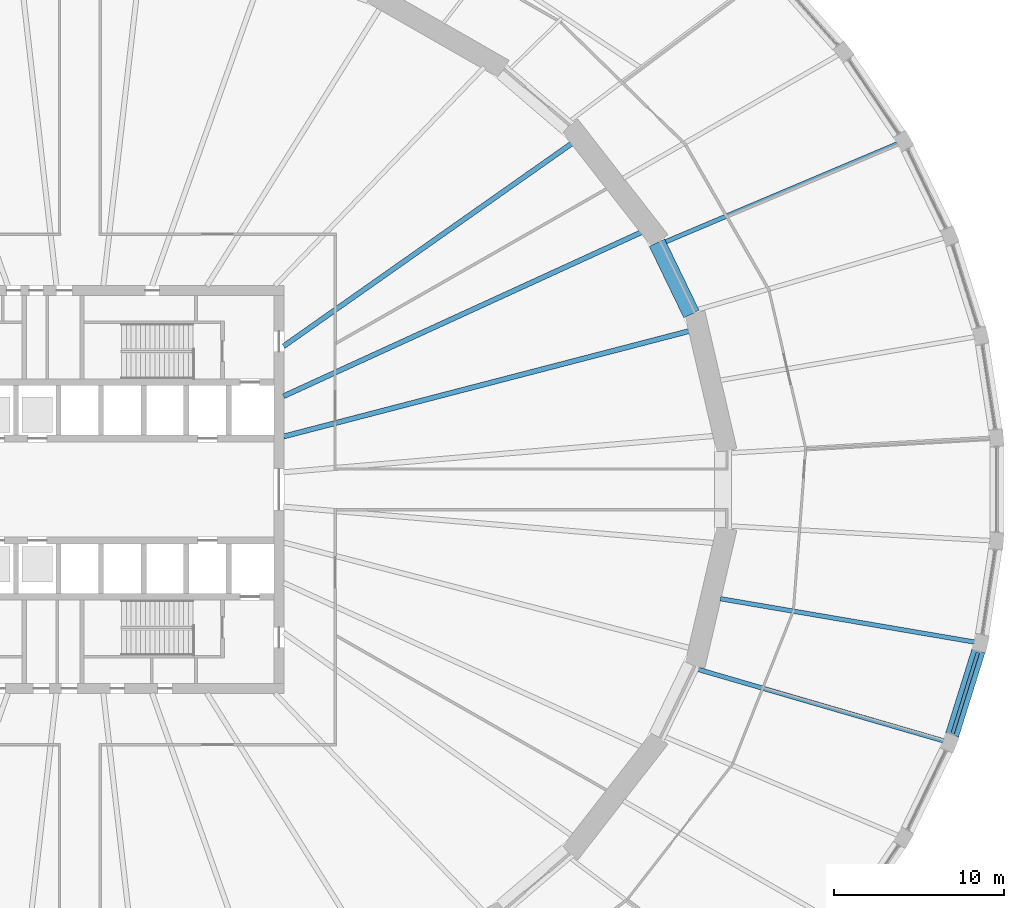
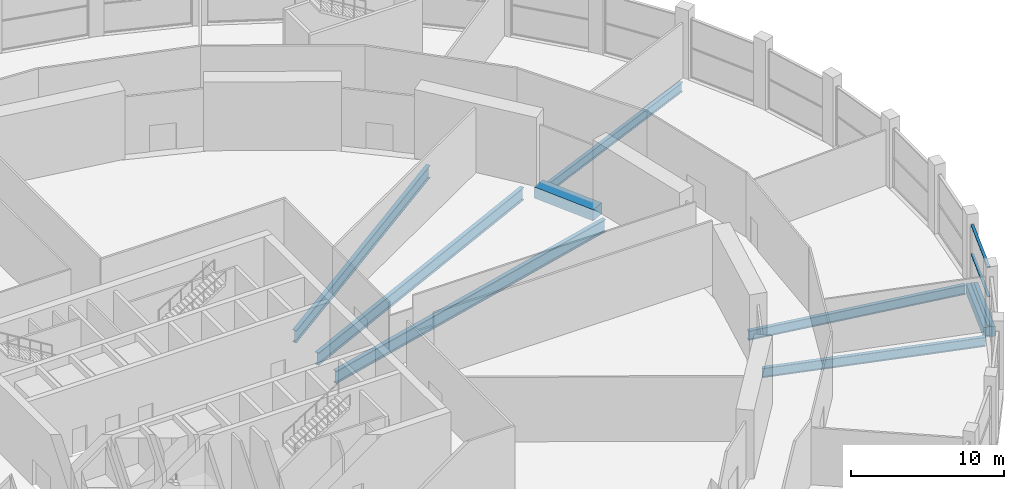
# One storey, part 10 of 29: 8 beams, 3 members, 1 element without a shape of its own.
"""IFC4 building model written with IfcOpenShell, lengths in metres."""

from ifc_helpers import new_model, si_unit, direction, frame, origin, origin_2d, place, context, subcontext, project, spatial, rectangle, i_section, extrude, material, material_profile, profile_set, type_object, element, aggregate, save


model = new_model("IFC4")

# Units and contexts
model_context = context("Model", 3, precision=1e-05, world=origin(), true_north=direction((0.0, 1.0)))
body_context = subcontext(model_context, "Body", "Model", "MODEL_VIEW")
ifc_project = project(units=[si_unit("LENGTHUNIT", "METRE"), si_unit("AREAUNIT", "SQUARE_METRE"), si_unit("VOLUMEUNIT", "CUBIC_METRE"), si_unit("PLANEANGLEUNIT", "RADIAN"), si_unit("MASSUNIT", "GRAM", prefix="KILO")], contexts=[model_context])

# Site, building, storey
site_placement = place(None, origin())
site = spatial("IfcSite", under=ifc_project, at=site_placement, CompositionType="ELEMENT")
building_placement = place(site_placement, origin())
building = spatial("IfcBuilding", under=site, at=building_placement, Name="Halqa Exchange Tower", CompositionType="ELEMENT")
storey_placement = place(building_placement, frame((0.0, 0.0, 12.5)))
storey = spatial("IfcBuildingStorey", under=building, at=storey_placement, Name="L02", CompositionType="ELEMENT", Elevation=12.5)

# Curtain wall, members
ifc_material_1 = material(Name="Anodised aluminium and clear glass", Category="aluminium")
curtain_wall_type = type_object("IfcCurtainWallType", Name="Exchange hall glazing", PredefinedType="NOTDEFINED", material=ifc_material_1)
curtain_wall_placement = place(storey_placement, origin())
curtain_wall = element("IfcCurtainWall", 1, at=curtain_wall_placement, inside=storey, type_object=curtain_wall_type, Name="Exchange hall glazing run P46", PredefinedType="NOTDEFINED")
ifc_material_2 = material(Name="Anodised aluminium", Category="aluminium")
ifc_material_profile_1 = material_profile(ifc_material_2, rectangle(XDim=0.199951171875, YDim=0.070068359375, at=origin_2d()), Name="AL 70x200")
ifc_profile_set_1 = profile_set([ifc_material_profile_1], Name="Anodised aluminium")
member_type = type_object("IfcMemberType", Name="Exchange hall glazing transom 70 x 200", PredefinedType="USERDEFINED", material=ifc_profile_set_1)
member_1_placement = place(storey_placement, frame((51.30419921875, -14.338623046875, 0.034912109375), z_axis=(0.298305642444, 0.954470399586, 0.0), x_axis=(-0.954470399586, 0.298305642444, 0.0)))
member_1 = element("IfcMember", 2, at=member_1_placement, type_object=member_type, Name="P46 transom 1.1", ObjectType="TRANSOM", PredefinedType="USERDEFINED", context=body_context, shape_type="SweptSolid", body=[
    extrude(rectangle(XDim=0.199951171875, YDim=0.070068359375, at=origin_2d()), origin(), (0.0, 0.0, 1.0), 4.989013671875),
])
member_2_placement = place(storey_placement, frame((51.30419921875, -14.338623046875, 2.35009765625), z_axis=(0.298305642444, 0.954470399586, 0.0), x_axis=(-0.954470399586, 0.298305642444, 0.0)))
member_2 = element("IfcMember", 3, at=member_2_placement, type_object=member_type, Name="P46 transom 1.2", ObjectType="TRANSOM", PredefinedType="USERDEFINED", context=body_context, shape_type="SweptSolid", body=[
    extrude(rectangle(XDim=0.199951171875, YDim=0.070068359375, at=origin_2d()), origin(), (0.0, 0.0, 1.0), 4.989013671875),
])
member_3_placement = place(storey_placement, frame((51.30419921875, -14.338623046875, 4.6650390625), z_axis=(0.298305642444, 0.954470399586, 0.0), x_axis=(-0.954470399586, 0.298305642444, 0.0)))
member_3 = element("IfcMember", 4, at=member_3_placement, type_object=member_type, Name="P46 transom 1.3", ObjectType="TRANSOM", PredefinedType="USERDEFINED", context=body_context, shape_type="SweptSolid", body=[
    extrude(rectangle(XDim=0.199951171875, YDim=0.070068359375, at=origin_2d()), origin(), (0.0, 0.0, 1.0), 4.989013671875),
])
aggregate(curtain_wall, [member_1, member_2, member_3])

# Beams
ifc_material_3 = material(Name="Steel S355", Category="steel")
ifc_material_profile_2 = material_profile(ifc_material_3, i_section(OverallWidth=0.300048828125, OverallDepth=1.0, WebThickness=0.01904296875, FlangeThickness=0.035888671875, FilletRadius=0.030029296875, at=origin_2d()), Name="HEB 1000")
ifc_profile_set_2 = profile_set([ifc_material_profile_2], Name="Steel S355")
beam_type_1 = type_object("IfcBeamType", Name="Floor beam HEB 1000", PredefinedType="BEAM", material=ifc_profile_set_2)
beam_1_placement = place(storey_placement, frame((11.972412109375, 5.485107421875, -0.85009765625), z_axis=(0.909128229117, 0.416516341843, 0.0), x_axis=(-0.416516341843, 0.909128229117, 0.0)))
element("IfcBeam", 5, at=beam_1_placement, inside=storey, type_object=beam_type_1, Name="Radial beam 3", PredefinedType="BEAM", context=body_context, shape_type="SweptSolid", body=[
    extrude(i_section(OverallWidth=0.300048828125, OverallDepth=1.0, WebThickness=0.01904296875, FlangeThickness=0.035888671875, FilletRadius=0.030029296875, at=origin_2d()), origin(), (0.0, 0.0, 1.0), 23.209228515625),
])
beam_2_placement = place(storey_placement, frame((11.972412109375, 8.421875, -0.85009765625), z_axis=(0.817909911418, 0.575346310325, 0.0), x_axis=(-0.575346310325, 0.817909911418, 0.0)))
element("IfcBeam", 6, at=beam_2_placement, inside=storey, type_object=beam_type_1, Name="Radial beam 4", PredefinedType="BEAM", context=body_context, shape_type="SweptSolid", body=[
    extrude(i_section(OverallWidth=0.300048828125, OverallDepth=1.0, WebThickness=0.01904296875, FlangeThickness=0.035888671875, FilletRadius=0.030029296875, at=origin_2d()), origin(), (0.0, 0.0, 1.0), 20.804443359375),
])
ifc_material_profile_3 = material_profile(ifc_material_3, i_section(OverallWidth=0.302001953125, OverallDepth=1.008056640625, WebThickness=0.02099609375, FlangeThickness=0.0400390625, FilletRadius=0.030029296875, at=origin_2d()), Name="HEM 1000")
ifc_profile_set_3 = profile_set([ifc_material_profile_3], Name="Steel S355")
beam_type_2 = type_object("IfcBeamType", Name="Floor beam HEM 1000", PredefinedType="BEAM", material=ifc_profile_set_3)
beam_3_placement = place(storey_placement, frame((11.971435546875, 3.11279296875, -0.85400390625), z_axis=(0.967821064299, 0.251639399735, 0.0), x_axis=(-0.251639399735, 0.967821064299, 0.0)))
element("IfcBeam", 7, at=beam_3_placement, inside=storey, type_object=beam_type_2, Name="Radial beam 2", PredefinedType="BEAM", context=body_context, shape_type="SweptSolid", body=[
    extrude(i_section(OverallWidth=0.302001953125, OverallDepth=1.008056640625, WebThickness=0.02099609375, FlangeThickness=0.0400390625, FilletRadius=0.030029296875, at=origin_2d()), origin(), (0.0, 0.0, 1.0), 24.7314453125),
])
ifc_material_profile_4 = material_profile(ifc_material_3, i_section(OverallWidth=0.264892578125, OverallDepth=0.7529296875, WebThickness=0.01318359375, FlangeThickness=0.01708984375, FilletRadius=0.01708984375, at=origin_2d()), Name="IPE 750x147")
ifc_profile_set_4 = profile_set([ifc_material_profile_4], Name="Steel S355")
beam_type_3 = type_object("IfcBeamType", Name="Floor beam IPE 750x147", PredefinedType="BEAM", material=ifc_profile_set_4)
beam_4_placement = place(storey_placement, frame((34.423583984375, 14.555419921875, -0.7265625), z_axis=(0.921054684963, 0.389433264254, 0.0), x_axis=(-0.389433264254, 0.921054684963, 0.0)))
element("IfcBeam", 8, at=beam_4_placement, inside=storey, type_object=beam_type_3, Name="Radial beam 4", PredefinedType="BEAM", context=body_context, shape_type="SweptSolid", body=[
    extrude(i_section(OverallWidth=0.264892578125, OverallDepth=0.7529296875, WebThickness=0.01318359375, FlangeThickness=0.01708984375, FilletRadius=0.01708984375, at=origin_2d()), origin(), (0.0, 0.0, 1.0), 14.83349609375),
])
beam_5_placement = place(storey_placement, frame((36.34521484375, -10.578369140625, -0.7265625), z_axis=(0.960162493503, -0.279442276812, 0.0), x_axis=(0.279442276812, 0.960162493503, 0.0)))
element("IfcBeam", 9, at=beam_5_placement, inside=storey, type_object=beam_type_3, Name="Radial beam 46", PredefinedType="BEAM", context=body_context, shape_type="SweptSolid", body=[
    extrude(i_section(OverallWidth=0.264892578125, OverallDepth=0.7529296875, WebThickness=0.01318359375, FlangeThickness=0.01708984375, FilletRadius=0.01708984375, at=origin_2d()), origin(), (0.0, 0.0, 1.0), 15.02880859375),
])
beam_6_placement = place(storey_placement, frame((37.654296875, -6.421875, -0.7265625), z_axis=(0.985764762639, -0.168130403968, 0.0), x_axis=(0.168130403968, 0.985764762639, 0.0)))
element("IfcBeam", 10, at=beam_6_placement, inside=storey, type_object=beam_type_3, Name="Radial beam 47", PredefinedType="BEAM", context=body_context, shape_type="SweptSolid", body=[
    extrude(i_section(OverallWidth=0.264892578125, OverallDepth=0.7529296875, WebThickness=0.01318359375, FlangeThickness=0.01708984375, FilletRadius=0.01708984375, at=origin_2d()), origin(), (0.0, 0.0, 1.0), 15.156982421875),
])
ifc_material_4 = material(Name="Concrete C60/75", Category="concrete")
ifc_material_profile_5 = material_profile(ifc_material_4, rectangle(XDim=0.800048828125, YDim=0.800048828125, at=origin_2d()), Name="800 x 800")
ifc_profile_set_5 = profile_set([ifc_material_profile_5], Name="Concrete C60/75")
beam_type_4 = type_object("IfcBeamType", Name="RC podium edge beam 800 x 800 C60/75", PredefinedType="SPANDREL", material=ifc_profile_set_5)
beam_7_placement = place(storey_placement, frame((51.275390625, -14.430419921875, -0.39990234375), z_axis=(0.298331338153, 0.954462368392, 0.0), x_axis=(-0.954462368392, 0.298331338153, 0.0)))
element("IfcBeam", 11, at=beam_7_placement, inside=storey, type_object=beam_type_4, Name="Podium edge beam 46", PredefinedType="SPANDREL", context=body_context, shape_type="SweptSolid", body=[
    extrude(rectangle(XDim=0.800048828125, YDim=0.800048828125, at=origin_2d()), origin(), (0.0, 0.0, 1.0), 5.180908203125),
])
ifc_material_profile_6 = material_profile(ifc_material_4, rectangle(XDim=1.0, YDim=0.89990234375, at=origin_2d()), Name="1000 x 900")
ifc_profile_set_6 = profile_set([ifc_material_profile_6], Name="Concrete C60/75")
beam_type_5 = type_object("IfcBeamType", Name="RC spandrel beam 1000 x 900 C60/75", PredefinedType="SPANDREL", material=ifc_profile_set_6)
beam_8_placement = place(storey_placement, frame((35.951904296875, 10.306884765625, -0.449951171875), z_axis=(-0.435068215878, 0.900397494184, 0.0), x_axis=(-0.900397494184, -0.435068215878, 0.0)))
element("IfcBeam", 12, at=beam_8_placement, inside=storey, type_object=beam_type_5, Name="Spandrel 2", PredefinedType="SPANDREL", context=body_context, shape_type="SweptSolid", body=[
    extrude(rectangle(XDim=1.0, YDim=0.89990234375, at=origin_2d()), origin(), (0.0, 0.0, 1.0), 4.6630859375),
])

save(model, "model.ifc")
